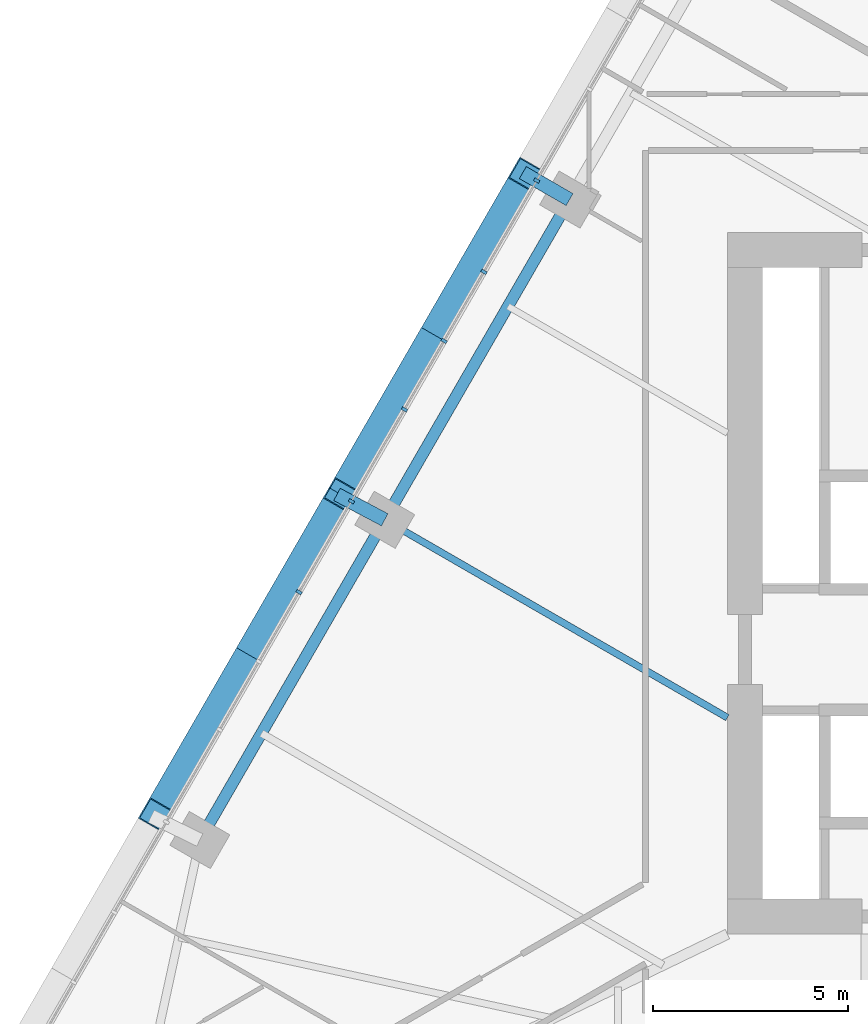
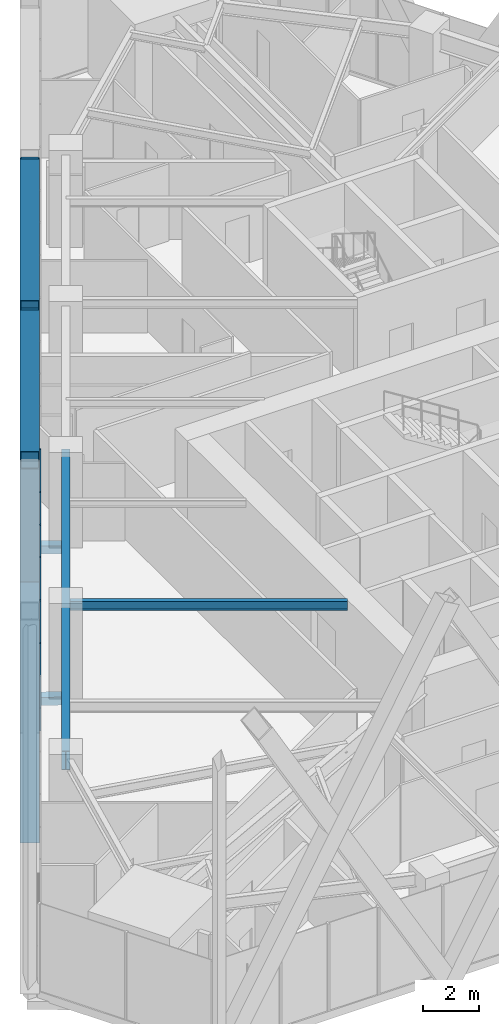
# One storey, part 3 of 21: 12 members, 2 beams, 1 element without a shape of its own.
"""IFC4 building model written with IfcOpenShell, lengths in metres."""

from ifc_helpers import new_model, si_unit, direction, frame, origin, origin_2d, place, context, subcontext, project, spatial, rectangle, hollow_rectangle, i_section, extrude, material, layer, layer_set, material_profile, profile_set, type_object, element, aggregate, save


model = new_model("IFC4")

# Units and contexts
model_context = context("Model", 3, precision=1e-05, world=origin(), true_north=direction((0.0, 1.0)))
body_context = subcontext(model_context, "Body", "Model", "MODEL_VIEW")
ifc_project = project(units=[si_unit("LENGTHUNIT", "METRE"), si_unit("AREAUNIT", "SQUARE_METRE"), si_unit("VOLUMEUNIT", "CUBIC_METRE"), si_unit("PLANEANGLEUNIT", "RADIAN"), si_unit("MASSUNIT", "GRAM", prefix="KILO")], contexts=[model_context])

# Site, building, storey
site_placement = place(None, origin())
site = spatial("IfcSite", under=ifc_project, at=site_placement, CompositionType="ELEMENT")
building_placement = place(site_placement, origin())
building = spatial("IfcBuilding", under=site, at=building_placement, Name="Firuza Gate Tower and Library", CompositionType="ELEMENT")
storey_placement = place(building_placement, frame((0.0, 0.0, 73.60009765625)))
storey = spatial("IfcBuildingStorey", under=building, at=storey_placement, Name="L16", CompositionType="ELEMENT", Elevation=73.60009765625)

# Members
ifc_material_1 = material(Name="Steel S355", Category="steel")
ifc_material_profile_1 = material_profile(ifc_material_1, hollow_rectangle(XDim=0.699951171875, YDim=0.699951171875, WallThickness=0.030029296875, at=origin_2d()))
ifc_profile_set_1 = profile_set([ifc_material_profile_1], Name="Steel S355")
member_type_1 = type_object("IfcMemberType", Name="BU700x700x30 Lattice brace", PredefinedType="BRACE", material=ifc_profile_set_1)
for number, where, z_axis, x_axis, name in (
    (1, (56.82568359375, 85.492919921875, 0.0), (-0.245829533982, -0.42577887884, 0.870792849394), (0.866020133719, -0.500009127909, 0.0), "Lattice brace W 3.4R"),
    (2, (52.0830078125, 77.278564453125, 0.0), (0.245829533982, 0.42577887884, 0.870792849394), (-0.866020133719, 0.500009127909, 0.0), "Lattice brace W 3.4L"),
):
    element("IfcMember", number, at=place(storey_placement, frame(where, z_axis=z_axis, x_axis=x_axis)), inside=storey, type_object=member_type_1, Name=name, PredefinedType="BRACE", context=body_context, shape_type="SweptSolid", body=[
        extrude(hollow_rectangle(XDim=0.699951171875, YDim=0.699951171875, WallThickness=0.030029296875, at=origin_2d()), origin(), (0.0, 0.0, 1.0), 19.29248046875),
    ])
for number, where, z_axis, x_axis, name in (
    (3, (52.0830078125, 77.278564453125, 0.0), (-0.245828209421, -0.425789239287, 0.870788157453), (0.866026568532, -0.499997982593, 0.0), "Lattice brace W 3.5R"),
    (4, (47.34033203125, 69.06396484375, 0.0), (0.245828209421, 0.425789239287, 0.870788157453), (-0.866026568532, 0.499997982593, 0.0), "Lattice brace W 3.5L"),
):
    element("IfcMember", number, at=place(storey_placement, frame(where, z_axis=z_axis, x_axis=x_axis)), inside=storey, type_object=member_type_1, Name=name, PredefinedType="BRACE", context=body_context, shape_type="SweptSolid", body=[
        extrude(hollow_rectangle(XDim=0.699951171875, YDim=0.699951171875, WallThickness=0.030029296875, at=origin_2d()), origin(), (0.0, 0.0, 1.0), 19.292724609375),
    ])

# Curtain wall, members
ifc_material_2 = material(Name="Aluminium 6063-T6", Category="aluminium")
ifc_layer = layer(ifc_material_2, 0.14990234375)
ifc_layer_set = layer_set([ifc_layer], Name="Unitised curtain wall, offices")
curtain_wall_type = type_object("IfcCurtainWallType", Name="Unitised curtain wall, offices", PredefinedType="NOTDEFINED", material=ifc_layer_set)
curtain_wall_placement = place(storey_placement, origin())
curtain_wall = element("IfcCurtainWall", 5, at=curtain_wall_placement, inside=storey, type_object=curtain_wall_type, Name="CW1 L16 W face", PredefinedType="NOTDEFINED")
ifc_material_3 = material(Name="Aluminium 6063-T6", Category="aluminium")
ifc_material_profile_2 = material_profile(ifc_material_3, rectangle(XDim=0.14990234375, YDim=0.080078125, at=origin_2d()))
ifc_profile_set_2 = profile_set([ifc_material_profile_2], Name="Aluminium 6063-T6")
member_type_2 = type_object("IfcMemberType", Name="Curtain wall mullion 80x150", PredefinedType="MULLION", material=ifc_profile_set_2)
member_1_placement = place(storey_placement, frame((57.107177734375, 85.33056640625, 0.14990234375), z_axis=(0.0, 0.0, 1.0), x_axis=(0.866025403784, -0.5, 0.0)))
member_1 = element("IfcMember", 6, at=member_1_placement, type_object=member_type_2, Name="Mullion", PredefinedType="MULLION", context=body_context, shape_type="SweptSolid", body=[
    extrude(rectangle(XDim=0.14990234375, YDim=0.080078125, at=origin_2d()), origin(), (0.0, 0.0, 1.0), 3.85009765625),
])
member_2_placement = place(storey_placement, frame((54.732177734375, 81.217041015625, 0.14990234375), z_axis=(0.0, 0.0, 1.0), x_axis=(0.866025403784, -0.5, 0.0)))
member_2 = element("IfcMember", 7, at=member_2_placement, type_object=member_type_2, Name="Mullion", PredefinedType="MULLION", context=body_context, shape_type="SweptSolid", body=[
    extrude(rectangle(XDim=0.14990234375, YDim=0.080078125, at=origin_2d()), origin(), (0.0, 0.0, 1.0), 3.85009765625),
])
member_3_placement = place(storey_placement, frame((52.357177734375, 77.103515625, 0.14990234375), z_axis=(0.0, 0.0, 1.0), x_axis=(0.866025403784, -0.5, 0.0)))
member_3 = element("IfcMember", 8, at=member_3_placement, type_object=member_type_2, Name="Mullion", PredefinedType="MULLION", context=body_context, shape_type="SweptSolid", body=[
    extrude(rectangle(XDim=0.14990234375, YDim=0.080078125, at=origin_2d()), origin(), (0.0, 0.0, 1.0), 3.85009765625),
])
member_4_placement = place(storey_placement, frame((55.75439453125, 82.987548828125, 0.14990234375), z_axis=(0.0, 0.0, 1.0), x_axis=(0.866025403784, -0.5, 0.0)))
member_4 = element("IfcMember", 9, at=member_4_placement, type_object=member_type_2, Name="Mullion", PredefinedType="MULLION", context=body_context, shape_type="SweptSolid", body=[
    extrude(rectangle(XDim=0.14990234375, YDim=0.080078125, at=origin_2d()), origin(), (0.0, 0.0, 1.0), 3.85009765625),
])
member_5_placement = place(storey_placement, frame((53.717041015625, 79.458740234375, 0.14990234375), z_axis=(0.0, 0.0, 1.0), x_axis=(0.866025403784, -0.5, 0.0)))
member_5 = element("IfcMember", 10, at=member_5_placement, type_object=member_type_2, Name="Mullion", PredefinedType="MULLION", context=body_context, shape_type="SweptSolid", body=[
    extrude(rectangle(XDim=0.14990234375, YDim=0.080078125, at=origin_2d()), origin(), (0.0, 0.0, 1.0), 3.85009765625),
])
member_6_placement = place(storey_placement, frame((51.01171875, 74.77294921875, 0.14990234375), z_axis=(0.0, 0.0, 1.0), x_axis=(0.866025403784, -0.5, 0.0)))
member_6 = element("IfcMember", 11, at=member_6_placement, type_object=member_type_2, Name="Mullion", PredefinedType="MULLION", context=body_context, shape_type="SweptSolid", body=[
    extrude(rectangle(XDim=0.14990234375, YDim=0.080078125, at=origin_2d()), origin(), (0.0, 0.0, 1.0), 3.85009765625),
])
aggregate(curtain_wall, [member_1, member_2, member_3, member_4, member_5, member_6])

# Members
ifc_material_4 = material(Name="Steel S355", Category="steel")
ifc_material_profile_3 = material_profile(ifc_material_4, hollow_rectangle(XDim=0.355712890625, YDim=0.355712890625, WallThickness=0.014892578125, at=origin_2d()))
ifc_profile_set_3 = profile_set([ifc_material_profile_3], Name="Steel S355")
member_type_3 = type_object("IfcMemberType", Name="HSS356x356x16 Lattice node tie", PredefinedType="BRACE", material=ifc_profile_set_3)
member_7_placement = place(storey_placement, frame((53.208740234375, 76.62841796875, -0.320068359375), z_axis=(-0.883165886802, 0.469060781124, 0.0), x_axis=(-0.469060781124, -0.883165886802, 0.0)))
element("IfcMember", 12, at=member_7_placement, inside=storey, type_object=member_type_3, Name="Lattice node tie W L16 59", PredefinedType="BRACE", context=body_context, shape_type="SweptSolid", body=[
    extrude(hollow_rectangle(XDim=0.355712890625, YDim=0.355712890625, WallThickness=0.014892578125, at=origin_2d()), origin(), (0.0, 0.0, 1.0), 1.385986328125),
])
member_8_placement = place(storey_placement, frame((57.951416015625, 84.843017578125, -0.320068359375), z_axis=(-0.86598890845, 0.500063206447, 0.0), x_axis=(-0.500063206447, -0.86598890845, 0.0)))
element("IfcMember", 13, at=member_8_placement, inside=storey, type_object=member_type_3, Name="Lattice node tie W L16 60", PredefinedType="BRACE", context=body_context, shape_type="SweptSolid", body=[
    extrude(hollow_rectangle(XDim=0.355712890625, YDim=0.355712890625, WallThickness=0.014892578125, at=origin_2d()), origin(), (0.0, 0.0, 1.0), 1.385009765625),
])

# Beams
ifc_material_5 = material(Name="Steel S355", Category="steel")
ifc_material_profile_4 = material_profile(ifc_material_5, i_section(OverallWidth=0.177978515625, OverallDepth=0.406982421875, WebThickness=0.0078125, FlangeThickness=0.0126953125, at=origin_2d()))
ifc_profile_set_4 = profile_set([ifc_material_profile_4], Name="Steel S355")
beam_type_1 = type_object("IfcBeamType", Name="W410x60 Floor beam", PredefinedType="JOIST", material=ifc_profile_set_4)
beam_1_placement = place(storey_placement, frame((53.208740234375, 76.62841796875, 3.79638671875), z_axis=(0.866033795846, -0.499985464241, 0.0), x_axis=(0.499985464241, 0.866033795846, 0.0)))
element("IfcBeam", 14, at=beam_1_placement, inside=storey, type_object=beam_type_1, Name="Floor beam L16 s84", PredefinedType="JOIST", context=body_context, shape_type="SweptSolid", body=[
    extrude(i_section(OverallWidth=0.177978515625, OverallDepth=0.406982421875, WebThickness=0.0078125, FlangeThickness=0.0126953125, at=origin_2d()), origin(), (0.0, 0.0, 1.0), 10.151123046875),
])
ifc_material_6 = material(Name="Steel S355", Category="steel")
ifc_material_profile_5 = material_profile(ifc_material_6, i_section(OverallWidth=0.2919921875, OverallDepth=0.8349609375, WebThickness=0.013916015625, FlangeThickness=0.018798828125, at=origin_2d()))
ifc_profile_set_5 = profile_set([ifc_material_profile_5], Name="Steel S355")
beam_type_2 = type_object("IfcBeamType", Name="W840x176 Edge beam", PredefinedType="SPANDREL", material=ifc_profile_set_5)
beam_2_placement = place(storey_placement, frame((57.951416015625, 84.843017578125, 3.58251953125), z_axis=(-0.500003555199, -0.866023351179, 0.0), x_axis=(0.866023351179, -0.500003555199, 0.0)))
element("IfcBeam", 15, at=beam_2_placement, inside=storey, type_object=beam_type_2, Name="Edge beam L16 e82", PredefinedType="SPANDREL", context=body_context, shape_type="SweptSolid", body=[
    extrude(i_section(OverallWidth=0.2919921875, OverallDepth=0.8349609375, WebThickness=0.013916015625, FlangeThickness=0.018798828125, at=origin_2d()), origin(), (0.0, 0.0, 1.0), 18.970458984375),
])

save(model, "model.ifc")
